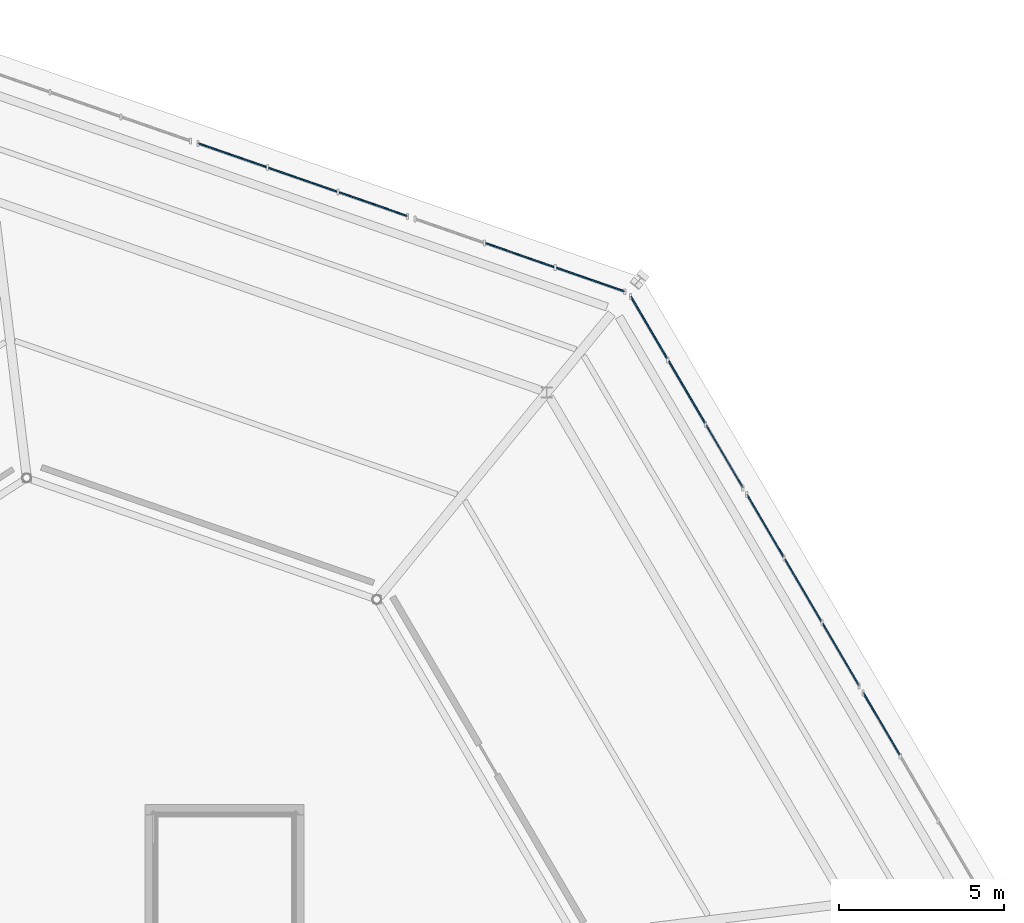
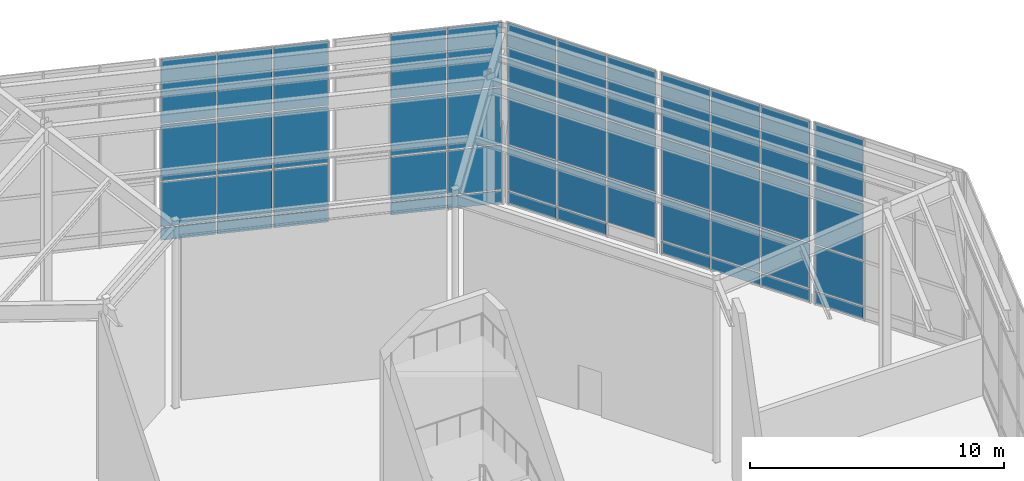
# One storey, part 30 of 48: 47 plates, 5 elements without a shape of their own.
"""IFC4 building model written with IfcOpenShell, lengths in metres."""

from ifc_helpers import new_model, si_unit, direction, frame, origin, origin_2d, place, context, subcontext, project, spatial, rectangle, extrude, material, layer, layer_set, type_object, element, aggregate, save


model = new_model("IFC4")

# Units and contexts
model_context = context("Model", 3, precision=1e-05, world=origin(), true_north=direction((0.0, 1.0)))
body_context = subcontext(model_context, "Body", "Model", "MODEL_VIEW")
ifc_project = project(units=[si_unit("LENGTHUNIT", "METRE"), si_unit("AREAUNIT", "SQUARE_METRE"), si_unit("VOLUMEUNIT", "CUBIC_METRE"), si_unit("PLANEANGLEUNIT", "RADIAN"), si_unit("MASSUNIT", "GRAM", prefix="KILO")], contexts=[model_context])

# Site, building, storey
site_placement = place(None, origin())
site = spatial("IfcSite", under=ifc_project, at=site_placement, CompositionType="ELEMENT")
building_placement = place(site_placement, origin())
building = spatial("IfcBuilding", under=site, at=building_placement, Name="Sarnbrook Museum", CompositionType="ELEMENT")
storey_placement = place(building_placement, frame((0.0, 0.0, 19.10009765625)))
storey = spatial("IfcBuildingStorey", under=building, at=storey_placement, Name="L04", CompositionType="ELEMENT", Elevation=19.10009765625)

# Curtain wall, plates
ifc_material_1 = material(Name="Thermally Broken Anodised Aluminium 6063-T6", Category="aluminium")
curtain_wall_type = type_object("IfcCurtainWallType", Name="CurtainWall_CrystalFacet", PredefinedType="NOTDEFINED", material=ifc_material_1)
curtain_wall_1_placement = place(storey_placement, origin())
curtain_wall_1 = element("IfcCurtainWall", 1, at=curtain_wall_1_placement, inside=storey, type_object=curtain_wall_type, Name="Crystal Hall Facet Curtain Wall L04-F4.1", PredefinedType="NOTDEFINED")
ifc_material_2 = material(Name="Double-Glazed Low-Iron Laminated Safety Glass", Category="glass")
ifc_layer_1 = layer(ifc_material_2, 0.031982421875)
ifc_layer_set_1 = layer_set([ifc_layer_1], Name="Double-Glazed Low-Iron Laminated Safety Glass")
plate_type_1 = type_object("IfcPlateType", Name="CW_GlazedPanel_32", PredefinedType="CURTAIN_PANEL", material=ifc_layer_set_1)
plate_1_placement = place(storey_placement, frame((163.645263671875, 92.63232421875, 1.75), z_axis=(0.862499349925, 0.506058169956, 0.0), x_axis=(-0.506058169956, 0.862499349925, 0.0)))
plate_1 = element("IfcPlate", 2, at=plate_1_placement, type_object=plate_type_1, Name="Crystal Hall Facet Curtain Wall L04-F4.1 Glazed Panel 3-2", PredefinedType="CURTAIN_PANEL", context=body_context, shape_type="SweptSolid", body=[
    extrude(rectangle(XDim=2.186767578125, YDim=2.1298828125, at=origin_2d()), origin(), (0.0, 0.0, 1.0), 0.031982421875),
])
plate_2_placement = place(storey_placement, frame((163.645263671875, 92.63232421875, 4.224853515625), z_axis=(0.862499349925, 0.506058169956, 0.0), x_axis=(-0.506058169956, 0.862499349925, 0.0)))
plate_2 = element("IfcPlate", 3, at=plate_2_placement, type_object=plate_type_1, Name="Crystal Hall Facet Curtain Wall L04-F4.1 Glazed Panel 3-3", PredefinedType="CURTAIN_PANEL", context=body_context, shape_type="SweptSolid", body=[
    extrude(rectangle(XDim=2.186767578125, YDim=2.679931640625, at=origin_2d()), origin(), (0.0, 0.0, 1.0), 0.031982421875),
])
plate_3_placement = place(storey_placement, frame((163.645263671875, 92.63232421875, 7.169921875), z_axis=(0.862499349925, 0.506058169956, 0.0), x_axis=(-0.506058169956, 0.862499349925, 0.0)))
plate_3 = element("IfcPlate", 4, at=plate_3_placement, type_object=plate_type_1, Name="Crystal Hall Facet Curtain Wall L04-F4.1 Glazed Panel 3-4", PredefinedType="CURTAIN_PANEL", context=body_context, shape_type="SweptSolid", body=[
    extrude(rectangle(XDim=2.186767578125, YDim=3.070068359375, at=origin_2d()), origin(), (0.0, 0.0, 1.0), 0.031982421875),
])

curtain_wall_2_placement = place(storey_placement, origin())
curtain_wall_2 = element("IfcCurtainWall", 5, at=curtain_wall_2_placement, inside=storey, type_object=curtain_wall_type, Name="Crystal Hall Facet Curtain Wall L04-F4.2", PredefinedType="NOTDEFINED")
plate_4_placement = place(storey_placement, frame((162.419677734375, 94.721435546875, 1.75), z_axis=(0.862499349925, 0.506058169956, 0.0), x_axis=(-0.506058169956, 0.862499349925, 0.0)))
plate_4 = element("IfcPlate", 6, at=plate_4_placement, type_object=plate_type_1, Name="Crystal Hall Facet Curtain Wall L04-F4.2 Glazed Panel 1-2", PredefinedType="CURTAIN_PANEL", context=body_context, shape_type="SweptSolid", body=[
    extrude(rectangle(XDim=2.186767578125, YDim=2.1298828125, at=origin_2d()), origin(), (0.0, 0.0, 1.0), 0.031982421875),
])
plate_5_placement = place(storey_placement, frame((162.419677734375, 94.721435546875, 4.224853515625), z_axis=(0.862499349925, 0.506058169956, 0.0), x_axis=(-0.506058169956, 0.862499349925, 0.0)))
plate_5 = element("IfcPlate", 7, at=plate_5_placement, type_object=plate_type_1, Name="Crystal Hall Facet Curtain Wall L04-F4.2 Glazed Panel 1-3", PredefinedType="CURTAIN_PANEL", context=body_context, shape_type="SweptSolid", body=[
    extrude(rectangle(XDim=2.186767578125, YDim=2.679931640625, at=origin_2d()), origin(), (0.0, 0.0, 1.0), 0.031982421875),
])
plate_6_placement = place(storey_placement, frame((162.419677734375, 94.721435546875, 7.169921875), z_axis=(0.862499349925, 0.506058169956, 0.0), x_axis=(-0.506058169956, 0.862499349925, 0.0)))
plate_6 = element("IfcPlate", 8, at=plate_6_placement, type_object=plate_type_1, Name="Crystal Hall Facet Curtain Wall L04-F4.2 Glazed Panel 1-4", PredefinedType="CURTAIN_PANEL", context=body_context, shape_type="SweptSolid", body=[
    extrude(rectangle(XDim=2.186767578125, YDim=3.070068359375, at=origin_2d()), origin(), (0.0, 0.0, 1.0), 0.031982421875),
])
plate_7_placement = place(storey_placement, frame((161.27490234375, 96.672119140625, 1.75), z_axis=(0.862499349925, 0.506058169956, 0.0), x_axis=(-0.506058169956, 0.862499349925, 0.0)))
plate_7 = element("IfcPlate", 9, at=plate_7_placement, type_object=plate_type_1, Name="Crystal Hall Facet Curtain Wall L04-F4.2 Glazed Panel 2-2", PredefinedType="CURTAIN_PANEL", context=body_context, shape_type="SweptSolid", body=[
    extrude(rectangle(XDim=2.186767578125, YDim=2.1298828125, at=origin_2d()), origin(), (0.0, 0.0, 1.0), 0.031982421875),
])
plate_8_placement = place(storey_placement, frame((161.27490234375, 96.672119140625, 4.224853515625), z_axis=(0.862499349925, 0.506058169956, 0.0), x_axis=(-0.506058169956, 0.862499349925, 0.0)))
plate_8 = element("IfcPlate", 10, at=plate_8_placement, type_object=plate_type_1, Name="Crystal Hall Facet Curtain Wall L04-F4.2 Glazed Panel 2-3", PredefinedType="CURTAIN_PANEL", context=body_context, shape_type="SweptSolid", body=[
    extrude(rectangle(XDim=2.186767578125, YDim=2.679931640625, at=origin_2d()), origin(), (0.0, 0.0, 1.0), 0.031982421875),
])
plate_9_placement = place(storey_placement, frame((161.27490234375, 96.672119140625, 7.169921875), z_axis=(0.862499349925, 0.506058169956, 0.0), x_axis=(-0.506058169956, 0.862499349925, 0.0)))
plate_9 = element("IfcPlate", 11, at=plate_9_placement, type_object=plate_type_1, Name="Crystal Hall Facet Curtain Wall L04-F4.2 Glazed Panel 2-4", PredefinedType="CURTAIN_PANEL", context=body_context, shape_type="SweptSolid", body=[
    extrude(rectangle(XDim=2.186767578125, YDim=3.070068359375, at=origin_2d()), origin(), (0.0, 0.0, 1.0), 0.031982421875),
])
plate_10_placement = place(storey_placement, frame((160.13037109375, 98.623046875, 1.75), z_axis=(0.862499349925, 0.506058169956, 0.0), x_axis=(-0.506058169956, 0.862499349925, 0.0)))
plate_10 = element("IfcPlate", 12, at=plate_10_placement, type_object=plate_type_1, Name="Crystal Hall Facet Curtain Wall L04-F4.2 Glazed Panel 3-2", PredefinedType="CURTAIN_PANEL", context=body_context, shape_type="SweptSolid", body=[
    extrude(rectangle(XDim=2.186767578125, YDim=2.1298828125, at=origin_2d()), origin(), (0.0, 0.0, 1.0), 0.031982421875),
])
plate_11_placement = place(storey_placement, frame((160.13037109375, 98.623046875, 4.224853515625), z_axis=(0.862499349925, 0.506058169956, 0.0), x_axis=(-0.506058169956, 0.862499349925, 0.0)))
plate_11 = element("IfcPlate", 13, at=plate_11_placement, type_object=plate_type_1, Name="Crystal Hall Facet Curtain Wall L04-F4.2 Glazed Panel 3-3", PredefinedType="CURTAIN_PANEL", context=body_context, shape_type="SweptSolid", body=[
    extrude(rectangle(XDim=2.186767578125, YDim=2.679931640625, at=origin_2d()), origin(), (0.0, 0.0, 1.0), 0.031982421875),
])
plate_12_placement = place(storey_placement, frame((160.13037109375, 98.623046875, 7.169921875), z_axis=(0.862499349925, 0.506058169956, 0.0), x_axis=(-0.506058169956, 0.862499349925, 0.0)))
plate_12 = element("IfcPlate", 14, at=plate_12_placement, type_object=plate_type_1, Name="Crystal Hall Facet Curtain Wall L04-F4.2 Glazed Panel 3-4", PredefinedType="CURTAIN_PANEL", context=body_context, shape_type="SweptSolid", body=[
    extrude(rectangle(XDim=2.186767578125, YDim=3.070068359375, at=origin_2d()), origin(), (0.0, 0.0, 1.0), 0.031982421875),
])

curtain_wall_3_placement = place(storey_placement, origin())
curtain_wall_3 = element("IfcCurtainWall", 15, at=curtain_wall_3_placement, inside=storey, type_object=curtain_wall_type, Name="Crystal Hall Facet Curtain Wall L04-F4.3", PredefinedType="NOTDEFINED")
plate_13_placement = place(storey_placement, frame((158.90478515625, 100.7119140625, 1.75), z_axis=(0.862499349925, 0.506058169956, 0.0), x_axis=(-0.506058169956, 0.862499349925, 0.0)))
plate_13 = element("IfcPlate", 16, at=plate_13_placement, type_object=plate_type_1, Name="Crystal Hall Facet Curtain Wall L04-F4.3 Glazed Panel 1-2", PredefinedType="CURTAIN_PANEL", context=body_context, shape_type="SweptSolid", body=[
    extrude(rectangle(XDim=2.186767578125, YDim=2.1298828125, at=origin_2d()), origin(), (0.0, 0.0, 1.0), 0.031982421875),
])
plate_14_placement = place(storey_placement, frame((158.90478515625, 100.7119140625, 4.224853515625), z_axis=(0.862499349925, 0.506058169956, 0.0), x_axis=(-0.506058169956, 0.862499349925, 0.0)))
plate_14 = element("IfcPlate", 17, at=plate_14_placement, type_object=plate_type_1, Name="Crystal Hall Facet Curtain Wall L04-F4.3 Glazed Panel 1-3", PredefinedType="CURTAIN_PANEL", context=body_context, shape_type="SweptSolid", body=[
    extrude(rectangle(XDim=2.186767578125, YDim=2.679931640625, at=origin_2d()), origin(), (0.0, 0.0, 1.0), 0.031982421875),
])
plate_15_placement = place(storey_placement, frame((158.90478515625, 100.7119140625, 7.169921875), z_axis=(0.862499349925, 0.506058169956, 0.0), x_axis=(-0.506058169956, 0.862499349925, 0.0)))
plate_15 = element("IfcPlate", 18, at=plate_15_placement, type_object=plate_type_1, Name="Crystal Hall Facet Curtain Wall L04-F4.3 Glazed Panel 1-4", PredefinedType="CURTAIN_PANEL", context=body_context, shape_type="SweptSolid", body=[
    extrude(rectangle(XDim=2.186767578125, YDim=3.070068359375, at=origin_2d()), origin(), (0.0, 0.0, 1.0), 0.031982421875),
])
plate_16_placement = place(storey_placement, frame((157.760009765625, 102.66259765625, 1.75), z_axis=(0.862499349925, 0.506058169956, 0.0), x_axis=(-0.506058169956, 0.862499349925, 0.0)))
plate_16 = element("IfcPlate", 19, at=plate_16_placement, type_object=plate_type_1, Name="Crystal Hall Facet Curtain Wall L04-F4.3 Glazed Panel 2-2", PredefinedType="CURTAIN_PANEL", context=body_context, shape_type="SweptSolid", body=[
    extrude(rectangle(XDim=2.186767578125, YDim=2.1298828125, at=origin_2d()), origin(), (0.0, 0.0, 1.0), 0.031982421875),
])
plate_17_placement = place(storey_placement, frame((157.760009765625, 102.66259765625, 4.224853515625), z_axis=(0.862499349925, 0.506058169956, 0.0), x_axis=(-0.506058169956, 0.862499349925, 0.0)))
plate_17 = element("IfcPlate", 20, at=plate_17_placement, type_object=plate_type_1, Name="Crystal Hall Facet Curtain Wall L04-F4.3 Glazed Panel 2-3", PredefinedType="CURTAIN_PANEL", context=body_context, shape_type="SweptSolid", body=[
    extrude(rectangle(XDim=2.186767578125, YDim=2.679931640625, at=origin_2d()), origin(), (0.0, 0.0, 1.0), 0.031982421875),
])
plate_18_placement = place(storey_placement, frame((157.760009765625, 102.66259765625, 7.169921875), z_axis=(0.862499349925, 0.506058169956, 0.0), x_axis=(-0.506058169956, 0.862499349925, 0.0)))
plate_18 = element("IfcPlate", 21, at=plate_18_placement, type_object=plate_type_1, Name="Crystal Hall Facet Curtain Wall L04-F4.3 Glazed Panel 2-4", PredefinedType="CURTAIN_PANEL", context=body_context, shape_type="SweptSolid", body=[
    extrude(rectangle(XDim=2.186767578125, YDim=3.070068359375, at=origin_2d()), origin(), (0.0, 0.0, 1.0), 0.031982421875),
])
plate_19_placement = place(storey_placement, frame((156.615478515625, 104.613525390625, 1.75), z_axis=(0.862499349925, 0.506058169956, 0.0), x_axis=(-0.506058169956, 0.862499349925, 0.0)))
plate_19 = element("IfcPlate", 22, at=plate_19_placement, type_object=plate_type_1, Name="Crystal Hall Facet Curtain Wall L04-F4.3 Glazed Panel 3-2", PredefinedType="CURTAIN_PANEL", context=body_context, shape_type="SweptSolid", body=[
    extrude(rectangle(XDim=2.186767578125, YDim=2.1298828125, at=origin_2d()), origin(), (0.0, 0.0, 1.0), 0.031982421875),
])
plate_20_placement = place(storey_placement, frame((156.615478515625, 104.613525390625, 4.224853515625), z_axis=(0.862499349925, 0.506058169956, 0.0), x_axis=(-0.506058169956, 0.862499349925, 0.0)))
plate_20 = element("IfcPlate", 23, at=plate_20_placement, type_object=plate_type_1, Name="Crystal Hall Facet Curtain Wall L04-F4.3 Glazed Panel 3-3", PredefinedType="CURTAIN_PANEL", context=body_context, shape_type="SweptSolid", body=[
    extrude(rectangle(XDim=2.186767578125, YDim=2.679931640625, at=origin_2d()), origin(), (0.0, 0.0, 1.0), 0.031982421875),
])
plate_21_placement = place(storey_placement, frame((156.615478515625, 104.613525390625, 7.169921875), z_axis=(0.862499349925, 0.506058169956, 0.0), x_axis=(-0.506058169956, 0.862499349925, 0.0)))
plate_21 = element("IfcPlate", 24, at=plate_21_placement, type_object=plate_type_1, Name="Crystal Hall Facet Curtain Wall L04-F4.3 Glazed Panel 3-4", PredefinedType="CURTAIN_PANEL", context=body_context, shape_type="SweptSolid", body=[
    extrude(rectangle(XDim=2.186767578125, YDim=3.070068359375, at=origin_2d()), origin(), (0.0, 0.0, 1.0), 0.031982421875),
])

curtain_wall_4_placement = place(storey_placement, origin())
curtain_wall_4 = element("IfcCurtainWall", 25, at=curtain_wall_4_placement, inside=storey, type_object=curtain_wall_type, Name="Crystal Hall Facet Curtain Wall L04-F5.1", PredefinedType="NOTDEFINED")
plate_22_placement = place(storey_placement, frame((154.862548828125, 106.0517578125, 1.75), z_axis=(0.32801323482, 0.94467312748, 0.0), x_axis=(-0.94467312748, 0.32801323482, 0.0)))
plate_22 = element("IfcPlate", 26, at=plate_22_placement, type_object=plate_type_1, Name="Crystal Hall Facet Curtain Wall L04-F5.1 Glazed Panel 1-2", PredefinedType="CURTAIN_PANEL", context=body_context, shape_type="SweptSolid", body=[
    extrude(rectangle(XDim=2.18798828125, YDim=2.1298828125, at=origin_2d()), origin(), (0.0, 0.0, 1.0), 0.031982421875),
])
plate_23_placement = place(storey_placement, frame((154.862548828125, 106.0517578125, 4.224853515625), z_axis=(0.32801323482, 0.94467312748, 0.0), x_axis=(-0.94467312748, 0.32801323482, 0.0)))
plate_23 = element("IfcPlate", 27, at=plate_23_placement, type_object=plate_type_1, Name="Crystal Hall Facet Curtain Wall L04-F5.1 Glazed Panel 1-3", PredefinedType="CURTAIN_PANEL", context=body_context, shape_type="SweptSolid", body=[
    extrude(rectangle(XDim=2.18798828125, YDim=2.679931640625, at=origin_2d()), origin(), (0.0, 0.0, 1.0), 0.031982421875),
])
plate_24_placement = place(storey_placement, frame((154.862548828125, 106.0517578125, 7.169921875), z_axis=(0.32801323482, 0.94467312748, 0.0), x_axis=(-0.94467312748, 0.32801323482, 0.0)))
plate_24 = element("IfcPlate", 28, at=plate_24_placement, type_object=plate_type_1, Name="Crystal Hall Facet Curtain Wall L04-F5.1 Glazed Panel 1-4", PredefinedType="CURTAIN_PANEL", context=body_context, shape_type="SweptSolid", body=[
    extrude(rectangle(XDim=2.18798828125, YDim=3.070068359375, at=origin_2d()), origin(), (0.0, 0.0, 1.0), 0.031982421875),
])
plate_25_placement = place(storey_placement, frame((152.724609375, 106.7939453125, 1.75), z_axis=(0.32801323482, 0.94467312748, 0.0), x_axis=(-0.94467312748, 0.32801323482, 0.0)))
plate_25 = element("IfcPlate", 29, at=plate_25_placement, type_object=plate_type_1, Name="Crystal Hall Facet Curtain Wall L04-F5.1 Glazed Panel 2-2", PredefinedType="CURTAIN_PANEL", context=body_context, shape_type="SweptSolid", body=[
    extrude(rectangle(XDim=2.18798828125, YDim=2.1298828125, at=origin_2d()), origin(), (0.0, 0.0, 1.0), 0.031982421875),
])
plate_26_placement = place(storey_placement, frame((152.724609375, 106.7939453125, 4.224853515625), z_axis=(0.32801323482, 0.94467312748, 0.0), x_axis=(-0.94467312748, 0.32801323482, 0.0)))
plate_26 = element("IfcPlate", 30, at=plate_26_placement, type_object=plate_type_1, Name="Crystal Hall Facet Curtain Wall L04-F5.1 Glazed Panel 2-3", PredefinedType="CURTAIN_PANEL", context=body_context, shape_type="SweptSolid", body=[
    extrude(rectangle(XDim=2.18798828125, YDim=2.679931640625, at=origin_2d()), origin(), (0.0, 0.0, 1.0), 0.031982421875),
])
plate_27_placement = place(storey_placement, frame((152.724609375, 106.7939453125, 7.169921875), z_axis=(0.32801323482, 0.94467312748, 0.0), x_axis=(-0.94467312748, 0.32801323482, 0.0)))
plate_27 = element("IfcPlate", 31, at=plate_27_placement, type_object=plate_type_1, Name="Crystal Hall Facet Curtain Wall L04-F5.1 Glazed Panel 2-4", PredefinedType="CURTAIN_PANEL", context=body_context, shape_type="SweptSolid", body=[
    extrude(rectangle(XDim=2.18798828125, YDim=3.070068359375, at=origin_2d()), origin(), (0.0, 0.0, 1.0), 0.031982421875),
])

curtain_wall_5_placement = place(storey_placement, origin())
curtain_wall_5 = element("IfcCurtainWall", 32, at=curtain_wall_5_placement, inside=storey, type_object=curtain_wall_type, Name="Crystal Hall Facet Curtain Wall L04-F5.2", PredefinedType="NOTDEFINED")
plate_28_placement = place(storey_placement, frame((148.2978515625, 108.3310546875, 1.75), z_axis=(0.32801323482, 0.94467312748, 0.0), x_axis=(-0.94467312748, 0.32801323482, 0.0)))
plate_28 = element("IfcPlate", 33, at=plate_28_placement, type_object=plate_type_1, Name="Crystal Hall Facet Curtain Wall L04-F5.2 Glazed Panel 1-2", PredefinedType="CURTAIN_PANEL", context=body_context, shape_type="SweptSolid", body=[
    extrude(rectangle(XDim=2.18798828125, YDim=2.1298828125, at=origin_2d()), origin(), (0.0, 0.0, 1.0), 0.031982421875),
])
plate_29_placement = place(storey_placement, frame((148.2978515625, 108.3310546875, 4.224853515625), z_axis=(0.32801323482, 0.94467312748, 0.0), x_axis=(-0.94467312748, 0.32801323482, 0.0)))
plate_29 = element("IfcPlate", 34, at=plate_29_placement, type_object=plate_type_1, Name="Crystal Hall Facet Curtain Wall L04-F5.2 Glazed Panel 1-3", PredefinedType="CURTAIN_PANEL", context=body_context, shape_type="SweptSolid", body=[
    extrude(rectangle(XDim=2.18798828125, YDim=2.679931640625, at=origin_2d()), origin(), (0.0, 0.0, 1.0), 0.031982421875),
])
plate_30_placement = place(storey_placement, frame((148.2978515625, 108.3310546875, 7.169921875), z_axis=(0.32801323482, 0.94467312748, 0.0), x_axis=(-0.94467312748, 0.32801323482, 0.0)))
plate_30 = element("IfcPlate", 35, at=plate_30_placement, type_object=plate_type_1, Name="Crystal Hall Facet Curtain Wall L04-F5.2 Glazed Panel 1-4", PredefinedType="CURTAIN_PANEL", context=body_context, shape_type="SweptSolid", body=[
    extrude(rectangle(XDim=2.18798828125, YDim=3.070068359375, at=origin_2d()), origin(), (0.0, 0.0, 1.0), 0.031982421875),
])
plate_31_placement = place(storey_placement, frame((146.159912109375, 109.073486328125, 1.75), z_axis=(0.32801323482, 0.94467312748, 0.0), x_axis=(-0.94467312748, 0.32801323482, 0.0)))
plate_31 = element("IfcPlate", 36, at=plate_31_placement, type_object=plate_type_1, Name="Crystal Hall Facet Curtain Wall L04-F5.2 Glazed Panel 2-2", PredefinedType="CURTAIN_PANEL", context=body_context, shape_type="SweptSolid", body=[
    extrude(rectangle(XDim=2.18798828125, YDim=2.1298828125, at=origin_2d()), origin(), (0.0, 0.0, 1.0), 0.031982421875),
])
plate_32_placement = place(storey_placement, frame((146.159912109375, 109.073486328125, 4.224853515625), z_axis=(0.32801323482, 0.94467312748, 0.0), x_axis=(-0.94467312748, 0.32801323482, 0.0)))
plate_32 = element("IfcPlate", 37, at=plate_32_placement, type_object=plate_type_1, Name="Crystal Hall Facet Curtain Wall L04-F5.2 Glazed Panel 2-3", PredefinedType="CURTAIN_PANEL", context=body_context, shape_type="SweptSolid", body=[
    extrude(rectangle(XDim=2.18798828125, YDim=2.679931640625, at=origin_2d()), origin(), (0.0, 0.0, 1.0), 0.031982421875),
])
plate_33_placement = place(storey_placement, frame((146.159912109375, 109.073486328125, 7.169921875), z_axis=(0.32801323482, 0.94467312748, 0.0), x_axis=(-0.94467312748, 0.32801323482, 0.0)))
plate_33 = element("IfcPlate", 38, at=plate_33_placement, type_object=plate_type_1, Name="Crystal Hall Facet Curtain Wall L04-F5.2 Glazed Panel 2-4", PredefinedType="CURTAIN_PANEL", context=body_context, shape_type="SweptSolid", body=[
    extrude(rectangle(XDim=2.18798828125, YDim=3.070068359375, at=origin_2d()), origin(), (0.0, 0.0, 1.0), 0.031982421875),
])
plate_34_placement = place(storey_placement, frame((144.02197265625, 109.815673828125, 1.75), z_axis=(0.32801323482, 0.94467312748, 0.0), x_axis=(-0.94467312748, 0.32801323482, 0.0)))
plate_34 = element("IfcPlate", 39, at=plate_34_placement, type_object=plate_type_1, Name="Crystal Hall Facet Curtain Wall L04-F5.2 Glazed Panel 3-2", PredefinedType="CURTAIN_PANEL", context=body_context, shape_type="SweptSolid", body=[
    extrude(rectangle(XDim=2.18798828125, YDim=2.1298828125, at=origin_2d()), origin(), (0.0, 0.0, 1.0), 0.031982421875),
])
plate_35_placement = place(storey_placement, frame((144.02197265625, 109.815673828125, 4.224853515625), z_axis=(0.32801323482, 0.94467312748, 0.0), x_axis=(-0.94467312748, 0.32801323482, 0.0)))
plate_35 = element("IfcPlate", 40, at=plate_35_placement, type_object=plate_type_1, Name="Crystal Hall Facet Curtain Wall L04-F5.2 Glazed Panel 3-3", PredefinedType="CURTAIN_PANEL", context=body_context, shape_type="SweptSolid", body=[
    extrude(rectangle(XDim=2.18798828125, YDim=2.679931640625, at=origin_2d()), origin(), (0.0, 0.0, 1.0), 0.031982421875),
])
plate_36_placement = place(storey_placement, frame((144.02197265625, 109.815673828125, 7.169921875), z_axis=(0.32801323482, 0.94467312748, 0.0), x_axis=(-0.94467312748, 0.32801323482, 0.0)))
plate_36 = element("IfcPlate", 41, at=plate_36_placement, type_object=plate_type_1, Name="Crystal Hall Facet Curtain Wall L04-F5.2 Glazed Panel 3-4", PredefinedType="CURTAIN_PANEL", context=body_context, shape_type="SweptSolid", body=[
    extrude(rectangle(XDim=2.18798828125, YDim=3.070068359375, at=origin_2d()), origin(), (0.0, 0.0, 1.0), 0.031982421875),
])

# Plate
ifc_material_3 = material(Name="Patinated Architectural Bronze")
ifc_layer_2 = layer(ifc_material_3, 0.044921875)
ifc_layer_set_2 = layer_set([ifc_layer_2], Name="Patinated Architectural Bronze")
plate_type_2 = type_object("IfcPlateType", Name="CW_SpandrelPanel_45", PredefinedType="CURTAIN_PANEL", material=ifc_layer_set_2)
plate_37_placement = place(storey_placement, frame((163.6396484375, 92.62890625, 0.324951171875), z_axis=(0.862499349925, 0.506058169956, 0.0), x_axis=(-0.506058169956, 0.862499349925, 0.0)))
plate_37 = element("IfcPlate", 42, at=plate_37_placement, type_object=plate_type_2, Name="Crystal Hall Facet Curtain Wall L04-F4.1 Spandrel Panel 3-1", PredefinedType="CURTAIN_PANEL", context=body_context, shape_type="SweptSolid", body=[
    extrude(rectangle(XDim=2.186767578125, YDim=0.580078125, at=origin_2d()), origin(), (0.0, 0.0, 1.0), 0.044921875),
])

aggregate(curtain_wall_1, [plate_37, plate_1, plate_2, plate_3])

plate_38_placement = place(storey_placement, frame((162.4140625, 94.718017578125, 0.324951171875), z_axis=(0.862499349925, 0.506058169956, 0.0), x_axis=(-0.506058169956, 0.862499349925, 0.0)))
plate_38 = element("IfcPlate", 43, at=plate_38_placement, type_object=plate_type_2, Name="Crystal Hall Facet Curtain Wall L04-F4.2 Spandrel Panel 1-1", PredefinedType="CURTAIN_PANEL", context=body_context, shape_type="SweptSolid", body=[
    extrude(rectangle(XDim=2.186767578125, YDim=0.580078125, at=origin_2d()), origin(), (0.0, 0.0, 1.0), 0.044921875),
])

plate_39_placement = place(storey_placement, frame((161.269287109375, 96.668701171875, 0.324951171875), z_axis=(0.862499349925, 0.506058169956, 0.0), x_axis=(-0.506058169956, 0.862499349925, 0.0)))
plate_39 = element("IfcPlate", 44, at=plate_39_placement, type_object=plate_type_2, Name="Crystal Hall Facet Curtain Wall L04-F4.2 Spandrel Panel 2-1", PredefinedType="CURTAIN_PANEL", context=body_context, shape_type="SweptSolid", body=[
    extrude(rectangle(XDim=2.186767578125, YDim=0.580078125, at=origin_2d()), origin(), (0.0, 0.0, 1.0), 0.044921875),
])

plate_40_placement = place(storey_placement, frame((160.124755859375, 98.61962890625, 0.324951171875), z_axis=(0.862499349925, 0.506058169956, 0.0), x_axis=(-0.506058169956, 0.862499349925, 0.0)))
plate_40 = element("IfcPlate", 45, at=plate_40_placement, type_object=plate_type_2, Name="Crystal Hall Facet Curtain Wall L04-F4.2 Spandrel Panel 3-1", PredefinedType="CURTAIN_PANEL", context=body_context, shape_type="SweptSolid", body=[
    extrude(rectangle(XDim=2.186767578125, YDim=0.580078125, at=origin_2d()), origin(), (0.0, 0.0, 1.0), 0.044921875),
])

aggregate(curtain_wall_2, [plate_38, plate_4, plate_5, plate_6, plate_39, plate_7, plate_8, plate_9, plate_40, plate_10, plate_11, plate_12])

plate_41_placement = place(storey_placement, frame((157.75439453125, 102.6591796875, 0.324951171875), z_axis=(0.862499349925, 0.506058169956, 0.0), x_axis=(-0.506058169956, 0.862499349925, 0.0)))
plate_41 = element("IfcPlate", 46, at=plate_41_placement, type_object=plate_type_2, Name="Crystal Hall Facet Curtain Wall L04-F4.3 Spandrel Panel 2-1", PredefinedType="CURTAIN_PANEL", context=body_context, shape_type="SweptSolid", body=[
    extrude(rectangle(XDim=2.186767578125, YDim=0.580078125, at=origin_2d()), origin(), (0.0, 0.0, 1.0), 0.044921875),
])

plate_42_placement = place(storey_placement, frame((156.60986328125, 104.610107421875, 0.324951171875), z_axis=(0.862499349925, 0.506058169956, 0.0), x_axis=(-0.506058169956, 0.862499349925, 0.0)))
plate_42 = element("IfcPlate", 47, at=plate_42_placement, type_object=plate_type_2, Name="Crystal Hall Facet Curtain Wall L04-F4.3 Spandrel Panel 3-1", PredefinedType="CURTAIN_PANEL", context=body_context, shape_type="SweptSolid", body=[
    extrude(rectangle(XDim=2.186767578125, YDim=0.580078125, at=origin_2d()), origin(), (0.0, 0.0, 1.0), 0.044921875),
])

aggregate(curtain_wall_3, [plate_13, plate_14, plate_15, plate_41, plate_16, plate_17, plate_18, plate_42, plate_19, plate_20, plate_21])

plate_43_placement = place(storey_placement, frame((154.8603515625, 106.045654296875, 0.324951171875), z_axis=(0.32801323482, 0.94467312748, 0.0), x_axis=(-0.94467312748, 0.32801323482, 0.0)))
plate_43 = element("IfcPlate", 48, at=plate_43_placement, type_object=plate_type_2, Name="Crystal Hall Facet Curtain Wall L04-F5.1 Spandrel Panel 1-1", PredefinedType="CURTAIN_PANEL", context=body_context, shape_type="SweptSolid", body=[
    extrude(rectangle(XDim=2.18798828125, YDim=0.580078125, at=origin_2d()), origin(), (0.0, 0.0, 1.0), 0.044921875),
])

plate_44_placement = place(storey_placement, frame((152.722412109375, 106.787841796875, 0.324951171875), z_axis=(0.32801323482, 0.94467312748, 0.0), x_axis=(-0.94467312748, 0.32801323482, 0.0)))
plate_44 = element("IfcPlate", 49, at=plate_44_placement, type_object=plate_type_2, Name="Crystal Hall Facet Curtain Wall L04-F5.1 Spandrel Panel 2-1", PredefinedType="CURTAIN_PANEL", context=body_context, shape_type="SweptSolid", body=[
    extrude(rectangle(XDim=2.18798828125, YDim=0.580078125, at=origin_2d()), origin(), (0.0, 0.0, 1.0), 0.044921875),
])

aggregate(curtain_wall_4, [plate_43, plate_22, plate_23, plate_24, plate_44, plate_25, plate_26, plate_27])

plate_45_placement = place(storey_placement, frame((148.295654296875, 108.324951171875, 0.324951171875), z_axis=(0.32801323482, 0.94467312748, 0.0), x_axis=(-0.94467312748, 0.32801323482, 0.0)))
plate_45 = element("IfcPlate", 50, at=plate_45_placement, type_object=plate_type_2, Name="Crystal Hall Facet Curtain Wall L04-F5.2 Spandrel Panel 1-1", PredefinedType="CURTAIN_PANEL", context=body_context, shape_type="SweptSolid", body=[
    extrude(rectangle(XDim=2.18798828125, YDim=0.580078125, at=origin_2d()), origin(), (0.0, 0.0, 1.0), 0.044921875),
])

plate_46_placement = place(storey_placement, frame((146.15771484375, 109.0673828125, 0.324951171875), z_axis=(0.32801323482, 0.94467312748, 0.0), x_axis=(-0.94467312748, 0.32801323482, 0.0)))
plate_46 = element("IfcPlate", 51, at=plate_46_placement, type_object=plate_type_2, Name="Crystal Hall Facet Curtain Wall L04-F5.2 Spandrel Panel 2-1", PredefinedType="CURTAIN_PANEL", context=body_context, shape_type="SweptSolid", body=[
    extrude(rectangle(XDim=2.18798828125, YDim=0.580078125, at=origin_2d()), origin(), (0.0, 0.0, 1.0), 0.044921875),
])

plate_47_placement = place(storey_placement, frame((144.019775390625, 109.8095703125, 0.324951171875), z_axis=(0.32801323482, 0.94467312748, 0.0), x_axis=(-0.94467312748, 0.32801323482, 0.0)))
plate_47 = element("IfcPlate", 52, at=plate_47_placement, type_object=plate_type_2, Name="Crystal Hall Facet Curtain Wall L04-F5.2 Spandrel Panel 3-1", PredefinedType="CURTAIN_PANEL", context=body_context, shape_type="SweptSolid", body=[
    extrude(rectangle(XDim=2.18798828125, YDim=0.580078125, at=origin_2d()), origin(), (0.0, 0.0, 1.0), 0.044921875),
])

aggregate(curtain_wall_5, [plate_45, plate_28, plate_29, plate_30, plate_46, plate_31, plate_32, plate_33, plate_47, plate_34, plate_35, plate_36])

save(model, "model.ifc")
